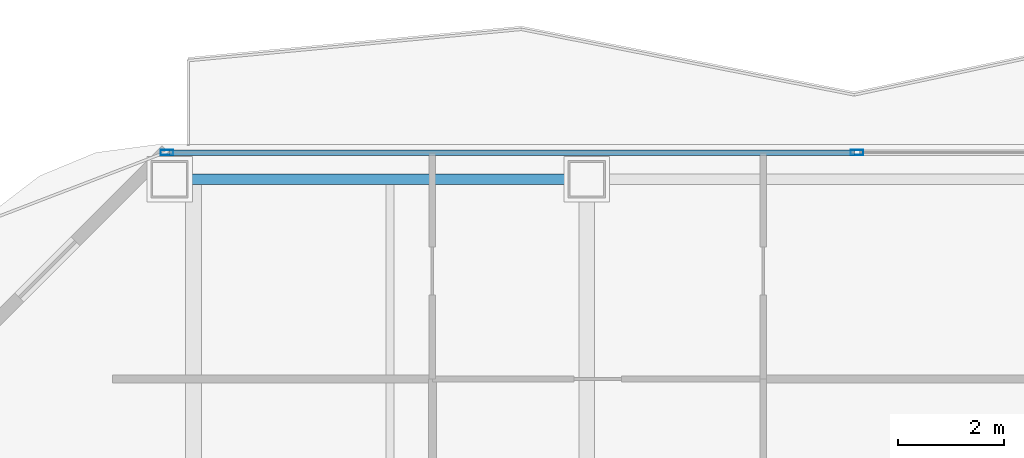
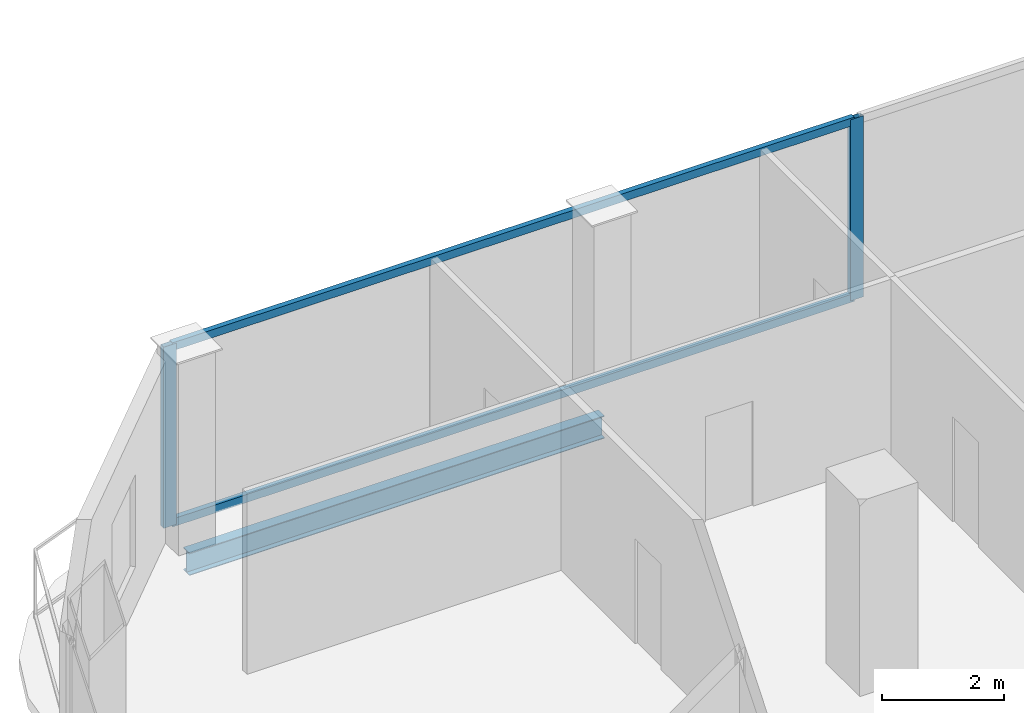
# One storey, part 14 of 27: 4 members, 1 beam, 1 element without a shape of its own.
"""IFC4 building model written with IfcOpenShell, lengths in metres."""

from ifc_helpers import new_model, si_unit, direction, frame, origin, origin_2d, place, context, subcontext, project, spatial, hollow_rectangle, i_section, extrude, material, layer, layer_set, material_profile, profile_set, type_object, element, aggregate, save


model = new_model("IFC4")

# Units and contexts
model_context = context("Model", 3, precision=1e-05, world=origin(), true_north=direction((0.0, 1.0)))
body_context = subcontext(model_context, "Body", "Model", "MODEL_VIEW")
ifc_project = project(units=[si_unit("LENGTHUNIT", "METRE"), si_unit("AREAUNIT", "SQUARE_METRE"), si_unit("VOLUMEUNIT", "CUBIC_METRE"), si_unit("PLANEANGLEUNIT", "RADIAN"), si_unit("MASSUNIT", "GRAM", prefix="KILO")], contexts=[model_context])

# Site, building, storey
site_placement = place(None, origin())
site = spatial("IfcSite", under=ifc_project, at=site_placement, CompositionType="ELEMENT")
building_placement = place(site_placement, origin())
building = spatial("IfcBuilding", under=site, at=building_placement, Name="Khorvyn Point Tower", CompositionType="ELEMENT")
storey_placement = place(building_placement, frame((0.0, 0.0, 132.89990234375)))
storey = spatial("IfcBuildingStorey", under=building, at=storey_placement, Name="L33", CompositionType="ELEMENT", Elevation=132.89990234375)

# Curtain wall, members
ifc_material_1 = material(Name="Anodised aluminium 6063-T6 and laminated Low-E glass", Category="aluminium")
ifc_layer = layer(ifc_material_1, 0.18994140625)
ifc_layer_set = layer_set([ifc_layer], Name="Stick-Built Acoustic Curtain Wall CW-SYS-03")
curtain_wall_type = type_object("IfcCurtainWallType", Name="Stick-Built Acoustic Curtain Wall CW-SYS-03", PredefinedType="NOTDEFINED", material=ifc_layer_set)
curtain_wall_placement = place(storey_placement, origin())
curtain_wall = element("IfcCurtainWall", 1, at=curtain_wall_placement, inside=storey, type_object=curtain_wall_type, Name="Curtain Wall", PredefinedType="NOTDEFINED")
ifc_material_2 = material(Name="Anodised aluminium 6063-T6", Category="aluminium")
ifc_material_profile_1 = material_profile(ifc_material_2, hollow_rectangle(XDim=0.10009765625, YDim=0.239990234375, WallThickness=0.0048828125, at=origin_2d()))
ifc_profile_set_1 = profile_set([ifc_material_profile_1], Name="Anodised aluminium 6063-T6 ALU-MUL-100x240")
member_type_1 = type_object("IfcMemberType", Name="Anodised Aluminium 6063-T6 Mullion ALU-MUL-100x240", PredefinedType="MULLION", material=ifc_profile_set_1)
member_1_placement = place(storey_placement, frame((-15.300048828125, 29.449951171875, 0.0), z_axis=(0.0, 0.0, 1.0), x_axis=(0.0, 1.0, 0.0)))
member_1 = element("IfcMember", 2, at=member_1_placement, type_object=member_type_1, Name="Transom", PredefinedType="MULLION", context=body_context, shape_type="SweptSolid", body=[
    extrude(hollow_rectangle(XDim=0.10009765625, YDim=0.239990234375, WallThickness=0.0048828125, at=origin_2d()), origin(), (0.0, 0.0, 1.0), 3.6201171875),
])
member_2_placement = place(storey_placement, frame((-2.31298828125, 29.449951171875, 0.0), z_axis=(0.0, 0.0, 1.0), x_axis=(0.0, 1.0, 0.0)))
member_2 = element("IfcMember", 3, at=member_2_placement, type_object=member_type_1, Name="Transom", PredefinedType="MULLION", context=body_context, shape_type="SweptSolid", body=[
    extrude(hollow_rectangle(XDim=0.10009765625, YDim=0.239990234375, WallThickness=0.0048828125, at=origin_2d()), origin(), (0.0, 0.0, 1.0), 3.6201171875),
])
ifc_material_profile_2 = material_profile(ifc_material_2, hollow_rectangle(XDim=0.10009765625, YDim=0.159912109375, WallThickness=0.00439453125, at=origin_2d()))
ifc_profile_set_2 = profile_set([ifc_material_profile_2], Name="Anodised aluminium 6063-T6 ALU-TRN-100x160")
member_type_2 = type_object("IfcMemberType", Name="Anodised Aluminium 6063-T6 Transom ALU-TRN-100x160", PredefinedType="USERDEFINED", material=ifc_profile_set_2)
member_3_placement = place(storey_placement, frame((-15.25, 29.449951171875, 0.050048828125), z_axis=(1.0, 0.0, 0.0), x_axis=(0.0, 1.0, 0.0)))
member_3 = element("IfcMember", 4, at=member_3_placement, type_object=member_type_2, Name="Transom", ObjectType="TRANSOM", PredefinedType="USERDEFINED", context=body_context, shape_type="SweptSolid", body=[
    extrude(hollow_rectangle(XDim=0.10009765625, YDim=0.159912109375, WallThickness=0.00439453125, at=origin_2d()), origin(), (0.0, 0.0, 1.0), 12.886962890625),
])
member_4_placement = place(storey_placement, frame((-15.25, 29.449951171875, 3.570068359375), z_axis=(1.0, 0.0, 0.0), x_axis=(0.0, 1.0, 0.0)))
member_4 = element("IfcMember", 5, at=member_4_placement, type_object=member_type_2, Name="Transom", ObjectType="TRANSOM", PredefinedType="USERDEFINED", context=body_context, shape_type="SweptSolid", body=[
    extrude(hollow_rectangle(XDim=0.10009765625, YDim=0.159912109375, WallThickness=0.00439453125, at=origin_2d()), origin(), (0.0, 0.0, 1.0), 12.886962890625),
])
aggregate(curtain_wall, [member_1, member_2, member_3, member_4])

# Beam
ifc_material_3 = material(Name="Steel S355", Category="steel")
ifc_material_profile_3 = material_profile(ifc_material_3, i_section(OverallWidth=0.199951171875, OverallDepth=0.449951171875, WebThickness=0.009033203125, FlangeThickness=0.013916015625, at=origin_2d()))
ifc_profile_set_3 = profile_set([ifc_material_profile_3], Name="Steel S355 H450x200x9x14")
beam_type = type_object("IfcBeamType", Name="Steel S355 Spandrel H450x200x9x14", PredefinedType="SPANDREL", material=ifc_profile_set_3)
beam_placement = place(storey_placement, frame((-15.25, 28.949951171875, -0.44482421875), z_axis=(1.0, 0.0, 0.0), x_axis=(0.0, 1.0, 0.0)))
element("IfcBeam", 6, at=beam_placement, inside=storey, type_object=beam_type, Name="Beam", PredefinedType="SPANDREL", context=body_context, shape_type="SweptSolid", body=[
    extrude(i_section(OverallWidth=0.199951171875, OverallDepth=0.449951171875, WebThickness=0.009033203125, FlangeThickness=0.013916015625, at=origin_2d()), origin(), (0.0, 0.0, 1.0), 7.85009765625),
])

save(model, "model.ifc")
